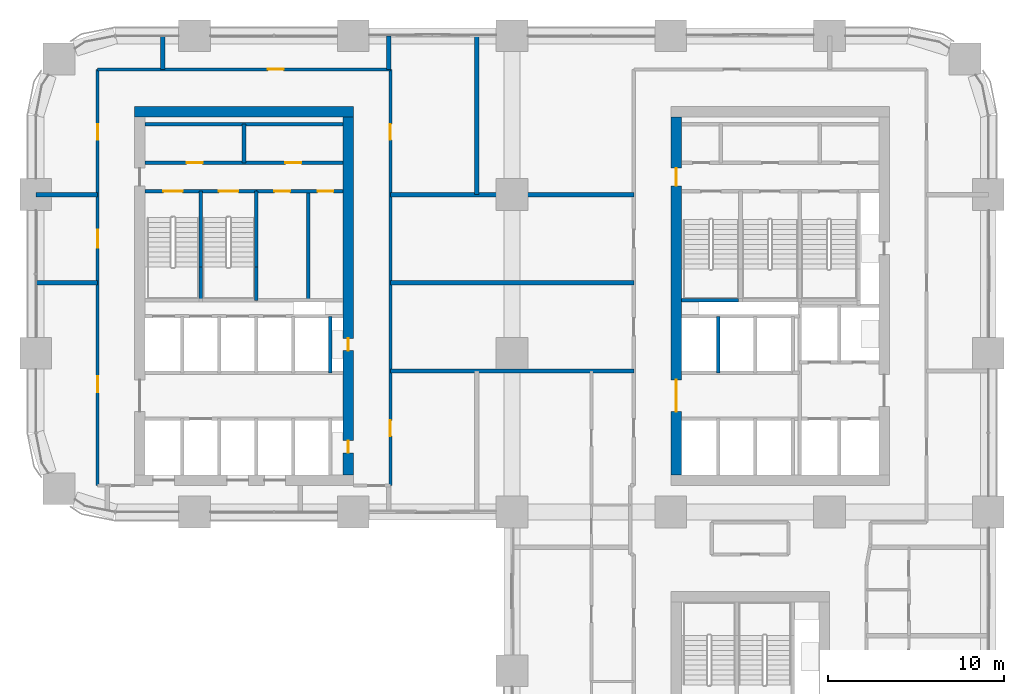
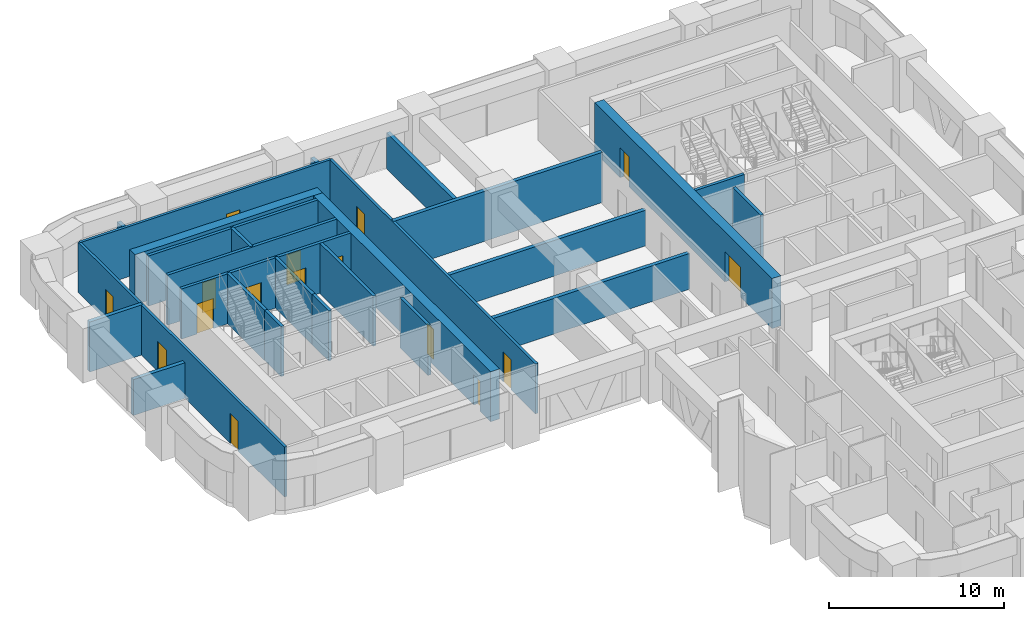
# One storey, part 15 of 19: 27 walls, 16 doors, 16 openings.
"""IFC4 building model written with IfcOpenShell, lengths in metres."""

from ifc_helpers import new_model, si_unit, direction, frame, frame_2d, origin, place, context, subcontext, project, spatial, rectangle, extrude, material, layer, layer_set, type_object, element, fill, save


model = new_model("IFC4")

# Units and contexts
model_context = context("Model", 3, precision=1e-05, world=origin(), true_north=direction((0.0, 1.0)))
body_context = subcontext(model_context, "Body", "Model", "MODEL_VIEW")
ifc_project = project(units=[si_unit("LENGTHUNIT", "METRE"), si_unit("AREAUNIT", "SQUARE_METRE"), si_unit("VOLUMEUNIT", "CUBIC_METRE"), si_unit("PLANEANGLEUNIT", "RADIAN"), si_unit("MASSUNIT", "GRAM", prefix="KILO")], contexts=[model_context])

# Site, building, storey
site_placement = place(None, origin())
site = spatial("IfcSite", under=ifc_project, at=site_placement, CompositionType="ELEMENT")
building_placement = place(site_placement, origin())
building = spatial("IfcBuilding", under=site, at=building_placement, Name="Tessera Arch", CompositionType="ELEMENT")
storey_placement = place(building_placement, frame((0.0, 0.0, 85.39990234375)))
storey = spatial("IfcBuildingStorey", under=building, at=storey_placement, Name="L19", CompositionType="ELEMENT", Elevation=85.39990234375)

# Walls
ifc_material_1 = material(Name="Gypsum board on steel stud", Category="steel")
ifc_layer_1 = layer(ifc_material_1, 0.125)
ifc_layer_set_1 = layer_set([ifc_layer_1], Name="Core partition 125 EI 60")
wall_type_1 = type_object("IfcWallType", Name="Core partition 125 EI 60", PredefinedType="PARTITIONING", material=ifc_layer_set_1)
wall_1_placement = place(storey_placement, frame((11.800048828125, 46.800048828125, 0.0), z_axis=(0.0, 0.0, 1.0), x_axis=(0.0, 1.0, 0.0)))
element("IfcWall", 1, at=wall_1_placement, inside=storey, type_object=wall_type_1, Name="L19 C2 partition wall 7", PredefinedType="PARTITIONING", context=body_context, shape_type="SweptSolid", body=[
    extrude(rectangle(XDim=2.199951171875, YDim=0.199951171875, at=frame_2d((1.10009765625, 0.0))), origin(), (0.0, 0.0, 1.0), 3.5),
])
wall_2_placement = place(storey_placement, frame((15.43994140625, 39.0, 0.0), z_axis=(0.0, 0.0, 1.0), x_axis=(0.0, 1.0, 0.0)))
element("IfcWall", 2, at=wall_2_placement, inside=storey, type_object=wall_type_1, Name="L19 C2 partition wall 14", PredefinedType="PARTITIONING", context=body_context, shape_type="SweptSolid", body=[
    extrude(rectangle(XDim=6.199951171875, YDim=0.199951171875, at=frame_2d((3.10009765625, 0.0))), origin(), (0.0, 0.0, 1.0), 3.5),
])

# Wall, openings, doors
wall_3_placement = place(storey_placement, frame((12.5, 45.199951171875, 0.0), z_axis=(0.0, 0.0, 1.0), x_axis=(1.0, 0.0, 0.0)))
wall_3 = element("IfcWall", 3, at=wall_3_placement, inside=storey, type_object=wall_type_1, Name="L19 C2 partition wall 24", PredefinedType="PARTITIONING", context=body_context, shape_type="SweptSolid", body=[
    extrude(rectangle(XDim=4.89990234375, YDim=0.199951171875, at=frame_2d((2.449951171875, 0.0))), origin(), (0.0, 0.0, 1.0), 3.5),
])
opening_1_placement = place(wall_3_placement, frame((1.02001953125, 0.0, 0.0)))
opening_1 = element("IfcOpeningElement", 4, at=opening_1_placement, cuts=wall_3, Name="Opening L19-C31", PredefinedType="OPENING", context=body_context, shape_type="SweptSolid", body=[
    extrude(rectangle(XDim=0.89990234375, YDim=2.10009765625, at=frame_2d((0.449951171875, 1.050048828125))), frame((0.0, 0.10986328125, 0.0), z_axis=(0.0, -1.0, 0.0), x_axis=(1.0, 0.0, 0.0)), (0.0, 0.0, 1.0), 0.219970703125),
])
opening_2_placement = place(wall_3_placement, frame((3.469970703125, 0.0, 0.0)))
opening_2 = element("IfcOpeningElement", 5, at=opening_2_placement, cuts=wall_3, Name="Opening L19-C32", PredefinedType="OPENING", context=body_context, shape_type="SweptSolid", body=[
    extrude(rectangle(XDim=0.89990234375, YDim=2.10009765625, at=frame_2d((0.449951171875, 1.050048828125))), frame((0.0, 0.10986328125, 0.0), z_axis=(0.0, -1.0, 0.0), x_axis=(1.0, 0.0, 0.0)), (0.0, 0.0, 1.0), 0.219970703125),
])
ifc_material_2 = material(Name="Steel door leaf", Category="steel")
door_type_1 = type_object("IfcDoorType", Name="Store door FD30S 900 x 2100", OperationType="SINGLE_SWING_LEFT", PredefinedType="DOOR", material=ifc_material_2)
door_1_placement = place(opening_1_placement, origin())
door_1 = element("IfcDoor", 6, at=door_1_placement, inside=storey, type_object=door_type_1, Name="L19 C2 door 17 C31 type D09", OperationType="SINGLE_SWING_LEFT", OverallHeight=2.10009765625, OverallWidth=0.89990234375, PredefinedType="DOOR", context=body_context, shape_type="SweptSolid", body=[
    extrude(rectangle(XDim=0.89990234375, YDim=2.10009765625, at=frame_2d((0.449951171875, 1.050048828125))), frame((0.0, 0.02490234375, 0.0), z_axis=(0.0, -1.0, 0.0), x_axis=(1.0, 0.0, 0.0)), (0.0, 0.0, 1.0), 0.050048828125),
])
fill(opening_1, door_1)
door_2_placement = place(opening_2_placement, origin())
door_2 = element("IfcDoor", 7, at=door_2_placement, inside=storey, type_object=door_type_1, Name="L19 C2 door 18 C32 type D09", OperationType="SINGLE_SWING_RIGHT", OverallHeight=2.10009765625, OverallWidth=0.89990234375, PredefinedType="DOOR", context=body_context, shape_type="SweptSolid", body=[
    extrude(rectangle(XDim=0.89990234375, YDim=2.10009765625, at=frame_2d((0.449951171875, 1.050048828125))), frame((0.0, 0.02490234375, 0.0), z_axis=(0.0, -1.0, 0.0), x_axis=(1.0, 0.0, 0.0)), (0.0, 0.0, 1.0), 0.050048828125),
])
fill(opening_2, door_2)

wall_4_placement = place(storey_placement, frame((6.199951171875, 46.800048828125, 0.0), z_axis=(0.0, 0.0, 1.0), x_axis=(1.0, 0.0, 0.0)))
wall_4 = element("IfcWall", 8, at=wall_4_placement, inside=storey, type_object=wall_type_1, Name="L19 C2 partition wall 26", PredefinedType="PARTITIONING", context=body_context, shape_type="SweptSolid", body=[
    extrude(rectangle(XDim=11.199951171875, YDim=0.199951171875, at=frame_2d((5.60009765625, 0.0))), origin(), (0.0, 0.0, 1.0), 3.5),
])
opening_3_placement = place(wall_4_placement, frame((2.35009765625, 0.0, 0.0)))
opening_3 = element("IfcOpeningElement", 9, at=opening_3_placement, cuts=wall_4, Name="Opening L19-C29", PredefinedType="OPENING", context=body_context, shape_type="SweptSolid", body=[
    extrude(rectangle(XDim=0.89990234375, YDim=2.10009765625, at=frame_2d((0.449951171875, 1.050048828125))), frame((0.0, 0.10986328125, 0.0), z_axis=(0.0, -1.0, 0.0), x_axis=(1.0, 0.0, 0.0)), (0.0, 0.0, 1.0), 0.219970703125),
])
opening_4_placement = place(wall_4_placement, frame((7.949951171875, 0.0, 0.0)))
opening_4 = element("IfcOpeningElement", 10, at=opening_4_placement, cuts=wall_4, Name="Opening L19-C30", PredefinedType="OPENING", context=body_context, shape_type="SweptSolid", body=[
    extrude(rectangle(XDim=0.89990234375, YDim=2.10009765625, at=frame_2d((0.449951171875, 1.050048828125))), frame((0.0, 0.10986328125, 0.0), z_axis=(0.0, -1.0, 0.0), x_axis=(1.0, 0.0, 0.0)), (0.0, 0.0, 1.0), 0.219970703125),
])
door_3_placement = place(opening_3_placement, origin())
door_3 = element("IfcDoor", 11, at=door_3_placement, inside=storey, type_object=door_type_1, Name="L19 C2 door 15 C29 type D09", OperationType="SINGLE_SWING_LEFT", OverallHeight=2.10009765625, OverallWidth=0.89990234375, PredefinedType="DOOR", context=body_context, shape_type="SweptSolid", body=[
    extrude(rectangle(XDim=0.89990234375, YDim=2.10009765625, at=frame_2d((0.449951171875, 1.050048828125))), frame((0.0, 0.02490234375, 0.0), z_axis=(0.0, -1.0, 0.0), x_axis=(1.0, 0.0, 0.0)), (0.0, 0.0, 1.0), 0.050048828125),
])
fill(opening_3, door_3)
door_4_placement = place(opening_4_placement, origin())
door_4 = element("IfcDoor", 12, at=door_4_placement, inside=storey, type_object=door_type_1, Name="L19 C2 door 16 C30 type D09", OperationType="SINGLE_SWING_RIGHT", OverallHeight=2.10009765625, OverallWidth=0.89990234375, PredefinedType="DOOR", context=body_context, shape_type="SweptSolid", body=[
    extrude(rectangle(XDim=0.89990234375, YDim=2.10009765625, at=frame_2d((0.449951171875, 1.050048828125))), frame((0.0, 0.02490234375, 0.0), z_axis=(0.0, -1.0, 0.0), x_axis=(1.0, 0.0, 0.0)), (0.0, 0.0, 1.0), 0.050048828125),
])
fill(opening_4, door_4)

# Wall
wall_5_placement = place(storey_placement, frame((6.199951171875, 49.0, 0.0), z_axis=(0.0, 0.0, 1.0), x_axis=(1.0, 0.0, 0.0)))
element("IfcWall", 13, at=wall_5_placement, inside=storey, type_object=wall_type_1, Name="L19 C2 partition wall 27", PredefinedType="PARTITIONING", context=body_context, shape_type="SweptSolid", body=[
    extrude(rectangle(XDim=11.199951171875, YDim=0.199951171875, at=frame_2d((5.60009765625, 0.0))), origin(), (0.0, 0.0, 1.0), 3.5),
])

# Wall, openings, doors
ifc_material_3 = material(Name="Concrete C70/85", Category="concrete")
ifc_layer_2 = layer(ifc_material_3, 0.60009765625)
ifc_layer_set_2 = layer_set([ifc_layer_2], Name="Core shell wall 600 C70-85")
wall_type_2 = type_object("IfcWallType", Name="Core shell wall 600 C70-85", PredefinedType="SHEAR", material=ifc_layer_set_2)
wall_6_placement = place(storey_placement, frame((36.300048828125, 29.10009765625, 0.0), z_axis=(0.0, 0.0, 1.0), x_axis=(0.0, 1.0, 0.0)))
wall_6 = element("IfcWall", 14, at=wall_6_placement, inside=storey, type_object=wall_type_2, Name="L19 C1 core wall W", PredefinedType="SHEAR", context=body_context, shape_type="SweptSolid", body=[
    extrude(rectangle(XDim=20.2998046875, YDim=0.60009765625, at=frame_2d((10.14990234375, 0.0))), origin(), (0.0, 0.0, 1.0), 3.5),
])
opening_5_placement = place(wall_6_placement, frame((3.60009765625, 0.0, 0.0)))
opening_5 = element("IfcOpeningElement", 15, at=opening_5_placement, cuts=wall_6, Name="Opening L19-C04", PredefinedType="OPENING", context=body_context, shape_type="SweptSolid", body=[
    extrude(rectangle(XDim=1.800048828125, YDim=2.10009765625, at=frame_2d((0.89990234375, 1.050048828125))), frame((0.0, 0.31005859375, 0.0), z_axis=(0.0, -1.0, 0.0), x_axis=(1.0, 0.0, 0.0)), (0.0, 0.0, 1.0), 0.6201171875),
])
opening_6_placement = place(wall_6_placement, frame((16.39990234375, 0.0, 0.0)))
opening_6 = element("IfcOpeningElement", 16, at=opening_6_placement, cuts=wall_6, Name="Opening L19-C11", PredefinedType="OPENING", context=body_context, shape_type="SweptSolid", body=[
    extrude(rectangle(XDim=1.0, YDim=2.10009765625, at=frame_2d((0.5, 1.050048828125))), frame((0.0, 0.31005859375, 0.0), z_axis=(0.0, -1.0, 0.0), x_axis=(1.0, 0.0, 0.0)), (0.0, 0.0, 1.0), 0.6201171875),
])
ifc_material_4 = material(Name="Steel door leaf", Category="steel")
door_type_2 = type_object("IfcDoorType", Name="Corridor door FD60 1000 x 2100", OperationType="SINGLE_SWING_LEFT", PredefinedType="DOOR", material=ifc_material_4)
door_5_placement = place(opening_6_placement, origin())
door_5 = element("IfcDoor", 17, at=door_5_placement, inside=storey, type_object=door_type_2, Name="L19 C1 door 11 C11 type D12", OperationType="SINGLE_SWING_RIGHT", OverallHeight=2.10009765625, OverallWidth=1.0, PredefinedType="DOOR", context=body_context, shape_type="SweptSolid", body=[
    extrude(rectangle(XDim=1.0, YDim=2.10009765625, at=frame_2d((0.5, 1.050048828125))), frame((0.0, 0.02490234375, 0.0), z_axis=(0.0, -1.0, 0.0), x_axis=(1.0, 0.0, 0.0)), (0.0, 0.0, 1.0), 0.050048828125),
])
fill(opening_6, door_5)
ifc_material_5 = material(Name="Glazed steel door leaf", Category="steel")
door_type_3 = type_object("IfcDoorType", Name="Lobby double door FD30S 1800 x 2100", OperationType="DOUBLE_DOOR_SINGLE_SWING", PredefinedType="DOOR", material=ifc_material_5)
door_6_placement = place(opening_5_placement, origin())
door_6 = element("IfcDoor", 18, at=door_6_placement, inside=storey, type_object=door_type_3, Name="L19 C1 door 4 C04 type D06", OperationType="DOUBLE_DOOR_SINGLE_SWING", OverallHeight=2.10009765625, OverallWidth=1.800048828125, PredefinedType="DOOR", context=body_context, shape_type="SweptSolid", body=[
    extrude(rectangle(XDim=1.800048828125, YDim=2.10009765625, at=frame_2d((0.89990234375, 1.050048828125))), frame((0.0, 0.02490234375, 0.0), z_axis=(0.0, -1.0, 0.0), x_axis=(1.0, 0.0, 0.0)), (0.0, 0.0, 1.0), 0.050048828125),
])
fill(opening_5, door_6)

# Wall
wall_7_placement = place(storey_placement, frame((5.60009765625, 49.699951171875, 0.0), z_axis=(0.0, 0.0, 1.0), x_axis=(1.0, 0.0, 0.0)))
element("IfcWall", 19, at=wall_7_placement, inside=storey, type_object=wall_type_2, Name="L19 C2 core wall N", PredefinedType="SHEAR", context=body_context, shape_type="SweptSolid", body=[
    extrude(rectangle(XDim=12.39990234375, YDim=0.60009765625, at=frame_2d((6.199951171875, 0.0))), origin(), (0.0, 0.0, 1.0), 3.5),
])

# Wall, openings, doors
wall_8_placement = place(storey_placement, frame((17.699951171875, 29.10009765625, 0.0), z_axis=(0.0, 0.0, 1.0), x_axis=(0.0, 1.0, 0.0)))
wall_8 = element("IfcWall", 20, at=wall_8_placement, inside=storey, type_object=wall_type_2, Name="L19 C2 core wall E", PredefinedType="SHEAR", context=body_context, shape_type="SweptSolid", body=[
    extrude(rectangle(XDim=20.2998046875, YDim=0.60009765625, at=frame_2d((10.14990234375, 0.0))), origin(), (0.0, 0.0, 1.0), 3.5),
])
opening_7_placement = place(wall_8_placement, frame((1.25, 0.0, 0.0)))
opening_7 = element("IfcOpeningElement", 21, at=opening_7_placement, cuts=wall_8, Name="Opening L19-C23", PredefinedType="OPENING", context=body_context, shape_type="SweptSolid", body=[
    extrude(rectangle(XDim=0.699951171875, YDim=2.10009765625, at=frame_2d((0.35009765625, 1.050048828125))), frame((0.0, 0.31005859375, 0.0), z_axis=(0.0, -1.0, 0.0), x_axis=(1.0, 0.0, 0.0)), (0.0, 0.0, 1.0), 0.6201171875),
])
opening_8_placement = place(wall_8_placement, frame((7.050048828125, 0.0, 0.0)))
opening_8 = element("IfcOpeningElement", 22, at=opening_8_placement, cuts=wall_8, Name="Opening L19-C24", PredefinedType="OPENING", context=body_context, shape_type="SweptSolid", body=[
    extrude(rectangle(XDim=0.699951171875, YDim=2.10009765625, at=frame_2d((0.35009765625, 1.050048828125))), frame((0.0, 0.31005859375, 0.0), z_axis=(0.0, -1.0, 0.0), x_axis=(1.0, 0.0, 0.0)), (0.0, 0.0, 1.0), 0.6201171875),
])
ifc_material_6 = material(Name="Steel door leaf", Category="steel")
door_type_4 = type_object("IfcDoorType", Name="Service shaft door FD60 700 x 2100", OperationType="SINGLE_SWING_LEFT", PredefinedType="DOOR", material=ifc_material_6)
door_7_placement = place(opening_7_placement, origin())
door_7 = element("IfcDoor", 23, at=door_7_placement, inside=storey, type_object=door_type_4, Name="L19 C2 door 9 C23 type D07", OperationType="SINGLE_SWING_LEFT", OverallHeight=2.10009765625, OverallWidth=0.699951171875, PredefinedType="DOOR", context=body_context, shape_type="SweptSolid", body=[
    extrude(rectangle(XDim=0.699951171875, YDim=2.10009765625, at=frame_2d((0.35009765625, 1.050048828125))), frame((0.0, 0.02490234375, 0.0), z_axis=(0.0, -1.0, 0.0), x_axis=(1.0, 0.0, 0.0)), (0.0, 0.0, 1.0), 0.050048828125),
])
fill(opening_7, door_7)
door_8_placement = place(opening_8_placement, origin())
door_8 = element("IfcDoor", 24, at=door_8_placement, inside=storey, type_object=door_type_4, Name="L19 C2 door 10 C24 type D07", OperationType="SINGLE_SWING_LEFT", OverallHeight=2.10009765625, OverallWidth=0.699951171875, PredefinedType="DOOR", context=body_context, shape_type="SweptSolid", body=[
    extrude(rectangle(XDim=0.699951171875, YDim=2.10009765625, at=frame_2d((0.35009765625, 1.050048828125))), frame((0.0, 0.02490234375, 0.0), z_axis=(0.0, -1.0, 0.0), x_axis=(1.0, 0.0, 0.0)), (0.0, 0.0, 1.0), 0.050048828125),
])
fill(opening_8, door_8)

# Wall, opening, door
ifc_material_7 = material(Name="Gypsum board on deep steel stud with mineral wool", Category="steel")
ifc_layer_3 = layer(ifc_material_7, 0.175048828125)
ifc_layer_set_3 = layer_set([ifc_layer_3], Name="Corridor wall 175 EI 60")
wall_type_3 = type_object("IfcWallType", Name="Corridor wall 175 EI 60", PredefinedType="PARTITIONING", material=ifc_layer_set_3)
wall_9_placement = place(storey_placement, frame((3.5, 52.10009765625, 0.0), z_axis=(0.0, 0.0, 1.0), x_axis=(1.0, 0.0, 0.0)))
wall_9 = element("IfcWall", 25, at=wall_9_placement, inside=storey, type_object=wall_type_3, Name="L19 partition 9", PredefinedType="PARTITIONING", context=body_context, shape_type="SweptSolid", body=[
    extrude(rectangle(XDim=16.60009765625, YDim=0.175048828125, at=frame_2d((8.300048828125, 0.0))), origin(), (0.0, 0.0, 1.0), 3.5),
])
opening_9_placement = place(wall_9_placement, frame((9.651123046875, 0.0, 0.0)))
opening_9 = element("IfcOpeningElement", 26, at=opening_9_placement, cuts=wall_9, Name="Opening L19-D037", PredefinedType="OPENING", context=body_context, shape_type="SweptSolid", body=[
    extrude(rectangle(XDim=0.89990234375, YDim=2.10009765625, at=frame_2d((0.449951171875, 1.050048828125))), frame((0.0, 0.097412109375, 0.0), z_axis=(0.0, -1.0, 0.0), x_axis=(1.0, 0.0, 0.0)), (0.0, 0.0, 1.0), 0.195068359375),
])
ifc_material_8 = material(Name="Timber door leaf", Category="wood")
door_type_5 = type_object("IfcDoorType", Name="Room door 900 x 2100", OperationType="SINGLE_SWING_LEFT", PredefinedType="DOOR", material=ifc_material_8)
door_9_placement = place(opening_9_placement, origin())
door_9 = element("IfcDoor", 27, at=door_9_placement, inside=storey, type_object=door_type_5, Name="L19 door D037 type D01", OperationType="SINGLE_SWING_LEFT", OverallHeight=2.10009765625, OverallWidth=0.89990234375, PredefinedType="DOOR", context=body_context, shape_type="SweptSolid", body=[
    extrude(rectangle(XDim=0.89990234375, YDim=2.10009765625, at=frame_2d((0.449951171875, 1.050048828125))), frame((0.0, 0.02490234375, 0.0), z_axis=(0.0, -1.0, 0.0), x_axis=(1.0, 0.0, 0.0)), (0.0, 0.0, 1.0), 0.050048828125),
])
fill(opening_9, door_9)

# Wall, openings, doors
wall_10_placement = place(storey_placement, frame((3.5, 28.5, 0.0), z_axis=(0.0, 0.0, 1.0), x_axis=(0.0, 1.0, 0.0)))
wall_10 = element("IfcWall", 28, at=wall_10_placement, inside=storey, type_object=wall_type_3, Name="L19 partition 11", PredefinedType="PARTITIONING", context=body_context, shape_type="SweptSolid", body=[
    extrude(rectangle(XDim=23.60009765625, YDim=0.175048828125, at=frame_2d((11.800048828125, 0.0))), origin(), (0.0, 0.0, 1.0), 3.5),
])
opening_10_placement = place(wall_10_placement, frame((5.300048828125, 0.0, 0.0)))
opening_10 = element("IfcOpeningElement", 29, at=opening_10_placement, cuts=wall_10, Name="Opening L19-D028", PredefinedType="OPENING", context=body_context, shape_type="SweptSolid", body=[
    extrude(rectangle(XDim=0.89990234375, YDim=2.10009765625, at=frame_2d((0.449951171875, 1.050048828125))), frame((0.0, 0.097412109375, 0.0), z_axis=(0.0, -1.0, 0.0), x_axis=(1.0, 0.0, 0.0)), (0.0, 0.0, 1.0), 0.195068359375),
])
opening_11_placement = place(wall_10_placement, frame((13.5, 0.0, 0.0)))
opening_11 = element("IfcOpeningElement", 30, at=opening_11_placement, cuts=wall_10, Name="Opening L19-D031", PredefinedType="OPENING", context=body_context, shape_type="SweptSolid", body=[
    extrude(rectangle(XDim=1.0, YDim=2.10009765625, at=frame_2d((0.5, 1.050048828125))), frame((0.0, 0.097412109375, 0.0), z_axis=(0.0, -1.0, 0.0), x_axis=(1.0, 0.0, 0.0)), (0.0, 0.0, 1.0), 0.195068359375),
])
opening_12_placement = place(wall_10_placement, frame((19.60009765625, 0.0, 0.0)))
opening_12 = element("IfcOpeningElement", 31, at=opening_12_placement, cuts=wall_10, Name="Opening L19-D034", PredefinedType="OPENING", context=body_context, shape_type="SweptSolid", body=[
    extrude(rectangle(XDim=0.89990234375, YDim=2.10009765625, at=frame_2d((0.449951171875, 1.050048828125))), frame((0.0, 0.097412109375, 0.0), z_axis=(0.0, -1.0, 0.0), x_axis=(1.0, 0.0, 0.0)), (0.0, 0.0, 1.0), 0.195068359375),
])
ifc_material_9 = material(Name="Fire-rated door leaf")
door_type_6 = type_object("IfcDoorType", Name="Entrance door FD30S 1000 x 2100", OperationType="SINGLE_SWING_LEFT", PredefinedType="DOOR", material=ifc_material_9)
door_10_placement = place(opening_11_placement, origin())
door_10 = element("IfcDoor", 32, at=door_10_placement, inside=storey, type_object=door_type_6, Name="L19 door D031 type D03", OperationType="SINGLE_SWING_LEFT", OverallHeight=2.10009765625, OverallWidth=1.0, PredefinedType="DOOR", context=body_context, shape_type="SweptSolid", body=[
    extrude(rectangle(XDim=1.0, YDim=2.10009765625, at=frame_2d((0.5, 1.050048828125))), frame((0.0, 0.02490234375, 0.0), z_axis=(0.0, -1.0, 0.0), x_axis=(1.0, 0.0, 0.0)), (0.0, 0.0, 1.0), 0.050048828125),
])
fill(opening_11, door_10)
door_11_placement = place(opening_10_placement, origin())
door_11 = element("IfcDoor", 33, at=door_11_placement, inside=storey, type_object=door_type_5, Name="L19 door D028 type D01", OperationType="SINGLE_SWING_RIGHT", OverallHeight=2.10009765625, OverallWidth=0.89990234375, PredefinedType="DOOR", context=body_context, shape_type="SweptSolid", body=[
    extrude(rectangle(XDim=0.89990234375, YDim=2.10009765625, at=frame_2d((0.449951171875, 1.050048828125))), frame((0.0, 0.02490234375, 0.0), z_axis=(0.0, -1.0, 0.0), x_axis=(1.0, 0.0, 0.0)), (0.0, 0.0, 1.0), 0.050048828125),
])
fill(opening_10, door_11)
door_12_placement = place(opening_12_placement, origin())
door_12 = element("IfcDoor", 34, at=door_12_placement, inside=storey, type_object=door_type_5, Name="L19 door D034 type D01", OperationType="SINGLE_SWING_RIGHT", OverallHeight=2.10009765625, OverallWidth=0.89990234375, PredefinedType="DOOR", context=body_context, shape_type="SweptSolid", body=[
    extrude(rectangle(XDim=0.89990234375, YDim=2.10009765625, at=frame_2d((0.449951171875, 1.050048828125))), frame((0.0, 0.02490234375, 0.0), z_axis=(0.0, -1.0, 0.0), x_axis=(1.0, 0.0, 0.0)), (0.0, 0.0, 1.0), 0.050048828125),
])
fill(opening_12, door_12)

wall_11_placement = place(storey_placement, frame((20.10009765625, 28.5, 0.0), z_axis=(0.0, 0.0, 1.0), x_axis=(0.0, 1.0, 0.0)))
wall_11 = element("IfcWall", 35, at=wall_11_placement, inside=storey, type_object=wall_type_3, Name="L19 partition 12", PredefinedType="PARTITIONING", context=body_context, shape_type="SweptSolid", body=[
    extrude(rectangle(XDim=23.60009765625, YDim=0.175048828125, at=frame_2d((11.800048828125, 0.0))), origin(), (0.0, 0.0, 1.0), 3.5),
])
opening_13_placement = place(wall_11_placement, frame((2.800048828125, 0.0, 0.0)))
opening_13 = element("IfcOpeningElement", 36, at=opening_13_placement, cuts=wall_11, Name="Opening L19-D027", PredefinedType="OPENING", context=body_context, shape_type="SweptSolid", body=[
    extrude(rectangle(XDim=0.89990234375, YDim=2.10009765625, at=frame_2d((0.449951171875, 1.050048828125))), frame((0.0, 0.097412109375, 0.0), z_axis=(0.0, -1.0, 0.0), x_axis=(1.0, 0.0, 0.0)), (0.0, 0.0, 1.0), 0.195068359375),
])
opening_14_placement = place(wall_11_placement, frame((19.60009765625, 0.0, 0.0)))
opening_14 = element("IfcOpeningElement", 37, at=opening_14_placement, cuts=wall_11, Name="Opening L19-D033", PredefinedType="OPENING", context=body_context, shape_type="SweptSolid", body=[
    extrude(rectangle(XDim=0.89990234375, YDim=2.10009765625, at=frame_2d((0.449951171875, 1.050048828125))), frame((0.0, 0.097412109375, 0.0), z_axis=(0.0, -1.0, 0.0), x_axis=(1.0, 0.0, 0.0)), (0.0, 0.0, 1.0), 0.195068359375),
])
door_13_placement = place(opening_13_placement, origin())
door_13 = element("IfcDoor", 38, at=door_13_placement, inside=storey, type_object=door_type_5, Name="L19 door D027 type D01", OperationType="SINGLE_SWING_RIGHT", OverallHeight=2.10009765625, OverallWidth=0.89990234375, PredefinedType="DOOR", context=body_context, shape_type="SweptSolid", body=[
    extrude(rectangle(XDim=0.89990234375, YDim=2.10009765625, at=frame_2d((0.449951171875, 1.050048828125))), frame((0.0, 0.02490234375, 0.0), z_axis=(0.0, -1.0, 0.0), x_axis=(1.0, 0.0, 0.0)), (0.0, 0.0, 1.0), 0.050048828125),
])
fill(opening_13, door_13)
door_14_placement = place(opening_14_placement, origin())
door_14 = element("IfcDoor", 39, at=door_14_placement, inside=storey, type_object=door_type_5, Name="L19 door D033 type D01", OperationType="SINGLE_SWING_RIGHT", OverallHeight=2.10009765625, OverallWidth=0.89990234375, PredefinedType="DOOR", context=body_context, shape_type="SweptSolid", body=[
    extrude(rectangle(XDim=0.89990234375, YDim=2.10009765625, at=frame_2d((0.449951171875, 1.050048828125))), frame((0.0, 0.02490234375, 0.0), z_axis=(0.0, -1.0, 0.0), x_axis=(1.0, 0.0, 0.0)), (0.0, 0.0, 1.0), 0.050048828125),
])
fill(opening_14, door_14)

# Walls
ifc_material_10 = material(Name="Double gypsum board on twin steel stud with acoustic mineral wool", Category="steel")
ifc_layer_4 = layer(ifc_material_10, 0.25)
ifc_layer_set_4 = layer_set([ifc_layer_4], Name="Party wall 250 EI 60")
wall_type_4 = type_object("IfcWallType", Name="Party wall 250 EI 60", PredefinedType="PARTITIONING", material=ifc_layer_set_4)
wall_12_placement = place(storey_placement, frame((20.10009765625, 35.0, 0.0), z_axis=(0.0, 0.0, 1.0), x_axis=(1.0, 0.0, 0.0)))
element("IfcWall", 40, at=wall_12_placement, inside=storey, type_object=wall_type_4, Name="L19 partition 34", PredefinedType="PARTITIONING", context=body_context, shape_type="SweptSolid", body=[
    extrude(rectangle(XDim=13.7998046875, YDim=0.25, at=frame_2d((6.89990234375, 0.0))), origin(), (0.0, 0.0, 1.0), 2.5),
])
wall_13_placement = place(storey_placement, frame((0.0, 40.0, 0.0), z_axis=(0.0, 0.0, 1.0), x_axis=(1.0, 0.0, 0.0)))
element("IfcWall", 41, at=wall_13_placement, inside=storey, type_object=wall_type_4, Name="L19 partition 36", PredefinedType="PARTITIONING", context=body_context, shape_type="SweptSolid", body=[
    extrude(rectangle(XDim=3.5, YDim=0.25, at=frame_2d((1.75, 0.0))), origin(), (0.0, 0.0, 1.0), 2.5),
])
wall_14_placement = place(storey_placement, frame((20.10009765625, 40.0, 0.0), z_axis=(0.0, 0.0, 1.0), x_axis=(1.0, 0.0, 0.0)))
element("IfcWall", 42, at=wall_14_placement, inside=storey, type_object=wall_type_4, Name="L19 partition 37", PredefinedType="PARTITIONING", context=body_context, shape_type="SweptSolid", body=[
    extrude(rectangle(XDim=13.7998046875, YDim=0.25, at=frame_2d((6.89990234375, 0.0))), origin(), (0.0, 0.0, 1.0), 2.5),
])
wall_15_placement = place(storey_placement, frame((0.0, 45.0, 0.0), z_axis=(0.0, 0.0, 1.0), x_axis=(1.0, 0.0, 0.0)))
element("IfcWall", 43, at=wall_15_placement, inside=storey, type_object=wall_type_4, Name="L19 partition 38", PredefinedType="PARTITIONING", context=body_context, shape_type="SweptSolid", body=[
    extrude(rectangle(XDim=3.5, YDim=0.25, at=frame_2d((1.75, 0.0))), origin(), (0.0, 0.0, 1.0), 3.5),
])
wall_16_placement = place(storey_placement, frame((20.10009765625, 45.0, 0.0), z_axis=(0.0, 0.0, 1.0), x_axis=(1.0, 0.0, 0.0)))
element("IfcWall", 44, at=wall_16_placement, inside=storey, type_object=wall_type_4, Name="L19 partition 39", PredefinedType="PARTITIONING", context=body_context, shape_type="SweptSolid", body=[
    extrude(rectangle(XDim=13.7998046875, YDim=0.25, at=frame_2d((6.89990234375, 0.0))), origin(), (0.0, 0.0, 1.0), 3.5),
])
for number, where, z_axis, x_axis, name in (
    (45, (7.201904296875, 52.10009765625, 0.0), (0.0, 0.0, 1.0), (0.0, 1.0, 0.0), "L19 partition 42"),
    (46, (20.0, 52.10009765625, 0.0), (0.0, 0.0, 1.0), (0.0, 1.0, 0.0), "L19 partition 45"),
):
    element("IfcWall", number, at=place(storey_placement, frame(where, z_axis=z_axis, x_axis=x_axis)), inside=storey, type_object=wall_type_4, Name=name, PredefinedType="PARTITIONING", context=body_context, shape_type="SweptSolid", body=[
        extrude(rectangle(XDim=1.89990234375, YDim=0.25, at=frame_2d((0.949951171875, 0.0))), origin(), (0.0, 0.0, 1.0), 2.5),
    ])
wall_17_placement = place(storey_placement, frame((25.0, 45.0, 0.0), z_axis=(0.0, 0.0, 1.0), x_axis=(0.0, 1.0, 0.0)))
element("IfcWall", 47, at=wall_17_placement, inside=storey, type_object=wall_type_4, Name="L19 partition 47", PredefinedType="PARTITIONING", context=body_context, shape_type="SweptSolid", body=[
    extrude(rectangle(XDim=9.0, YDim=0.25, at=frame_2d((4.5, 0.0))), origin(), (0.0, 0.0, 1.0), 2.5),
])
ifc_material_11 = material(Name="Concrete C40/50", Category="concrete")
ifc_layer_5 = layer(ifc_material_11, 0.199951171875)
ifc_layer_set_5 = layer_set([ifc_layer_5], Name="Shaft wall 200 EI 120")
wall_type_5 = type_object("IfcWallType", Name="Shaft wall 200 EI 120", PredefinedType="SOLIDWALL", material=ifc_layer_set_5)
for number, where, z_axis, x_axis, name in (
    (48, (38.699951171875, 34.89990234375, 0.0), (0.0, 0.0, 1.0), (0.0, 1.0, 0.0), "L19 C1 shaft wall 2"),
    (49, (16.699951171875, 34.89990234375, 0.0), (0.0, 0.0, 1.0), (0.0, 1.0, 0.0), "L19 C2 shaft wall 16"),
):
    element("IfcWall", number, at=place(storey_placement, frame(where, z_axis=z_axis, x_axis=x_axis)), inside=storey, type_object=wall_type_5, Name=name, PredefinedType="SOLIDWALL", context=body_context, shape_type="SweptSolid", body=[
        extrude(rectangle(XDim=3.2001953125, YDim=0.199951171875, at=frame_2d((1.60009765625, 0.0))), origin(), (0.0, 0.0, 1.0), 3.5),
    ])
ifc_material_12 = material(Name="Concrete C40/50", Category="concrete")
ifc_layer_6 = layer(ifc_material_12, 0.199951171875)
ifc_layer_set_6 = layer_set([ifc_layer_6], Name="Stair well wall 200 REI 180")
wall_type_6 = type_object("IfcWallType", Name="Stair well wall 200 REI 180", PredefinedType="SOLIDWALL", material=ifc_layer_set_6)
wall_18_placement = place(storey_placement, frame((36.60009765625, 39.0, 0.0), z_axis=(0.0, 0.0, 1.0), x_axis=(1.0, 0.0, 0.0)))
element("IfcWall", 50, at=wall_18_placement, inside=storey, type_object=wall_type_6, Name="L19 C1 shaft wall 25", PredefinedType="SOLIDWALL", context=body_context, shape_type="SweptSolid", body=[
    extrude(rectangle(XDim=3.25, YDim=0.199951171875, at=frame_2d((1.625, 0.0))), origin(), (0.0, 0.0, 1.0), 3.5),
])
wall_19_placement = place(storey_placement, frame((9.35009765625, 39.0, 0.0), z_axis=(0.0, 0.0, 1.0), x_axis=(0.0, 1.0, 0.0)))
element("IfcWall", 51, at=wall_19_placement, inside=storey, type_object=wall_type_6, Name="L19 C2 shaft wall 3", PredefinedType="SOLIDWALL", context=body_context, shape_type="SweptSolid", body=[
    extrude(rectangle(XDim=1.89990234375, YDim=0.199951171875, at=frame_2d((0.949951171875, 0.0))), origin(), (0.0, 0.0, 1.0), 3.5),
])
wall_20_placement = place(storey_placement, frame((9.35009765625, 40.89990234375, 0.0), z_axis=(0.0, 0.0, 1.0), x_axis=(0.0, 1.0, 0.0)))
element("IfcWall", 52, at=wall_20_placement, inside=storey, type_object=wall_type_6, Name="L19 C2 shaft wall 4", PredefinedType="SOLIDWALL", context=body_context, shape_type="SweptSolid", body=[
    extrude(rectangle(XDim=4.300048828125, YDim=0.199951171875, at=frame_2d((2.14990234375, 0.0))), origin(), (0.0, 0.0, 1.0), 3.5),
])
wall_21_placement = place(storey_placement, frame((12.5, 39.0, 0.0), z_axis=(0.0, 0.0, 1.0), x_axis=(0.0, 1.0, 0.0)))
element("IfcWall", 53, at=wall_21_placement, inside=storey, type_object=wall_type_6, Name="L19 C2 shaft wall 10", PredefinedType="SOLIDWALL", context=body_context, shape_type="SweptSolid", body=[
    extrude(rectangle(XDim=1.89990234375, YDim=0.199951171875, at=frame_2d((0.949951171875, 0.0))), origin(), (0.0, 0.0, 1.0), 3.5),
])
wall_22_placement = place(storey_placement, frame((12.5, 40.89990234375, 0.0), z_axis=(0.0, 0.0, 1.0), x_axis=(0.0, 1.0, 0.0)))
element("IfcWall", 54, at=wall_22_placement, inside=storey, type_object=wall_type_6, Name="L19 C2 shaft wall 11", PredefinedType="SOLIDWALL", context=body_context, shape_type="SweptSolid", body=[
    extrude(rectangle(XDim=4.300048828125, YDim=0.199951171875, at=frame_2d((2.14990234375, 0.0))), origin(), (0.0, 0.0, 1.0), 3.5),
])

# Wall, openings, doors
wall_23_placement = place(storey_placement, frame((6.199951171875, 45.199951171875, 0.0), z_axis=(0.0, 0.0, 1.0), x_axis=(1.0, 0.0, 0.0)))
wall_23 = element("IfcWall", 55, at=wall_23_placement, inside=storey, type_object=wall_type_6, Name="L19 C2 shaft wall 25", PredefinedType="SOLIDWALL", context=body_context, shape_type="SweptSolid", body=[
    extrude(rectangle(XDim=6.300048828125, YDim=0.199951171875, at=frame_2d((3.14990234375, 0.0))), origin(), (0.0, 0.0, 1.0), 3.5),
])
opening_15_placement = place(wall_23_placement, frame((1.02490234375, 0.0, 0.0)))
opening_15 = element("IfcOpeningElement", 56, at=opening_15_placement, cuts=wall_23, Name="Opening L19-C26", PredefinedType="OPENING", context=body_context, shape_type="SweptSolid", body=[
    extrude(rectangle(XDim=1.10009765625, YDim=2.10009765625, at=frame_2d((0.550048828125, 1.050048828125))), frame((0.0, 0.10986328125, 0.0), z_axis=(0.0, -1.0, 0.0), x_axis=(1.0, 0.0, 0.0)), (0.0, 0.0, 1.0), 0.219970703125),
])
opening_16_placement = place(wall_23_placement, frame((4.175048828125, 0.0, 0.0)))
opening_16 = element("IfcOpeningElement", 57, at=opening_16_placement, cuts=wall_23, Name="Opening L19-C27", PredefinedType="OPENING", context=body_context, shape_type="SweptSolid", body=[
    extrude(rectangle(XDim=1.10009765625, YDim=2.10009765625, at=frame_2d((0.550048828125, 1.050048828125))), frame((0.0, 0.10986328125, 0.0), z_axis=(0.0, -1.0, 0.0), x_axis=(1.0, 0.0, 0.0)), (0.0, 0.0, 1.0), 0.219970703125),
])
ifc_material_13 = material(Name="Steel door leaf", Category="steel")
door_type_7 = type_object("IfcDoorType", Name="Stair door FD60 1100 x 2100", OperationType="SINGLE_SWING_LEFT", PredefinedType="DOOR", material=ifc_material_13)
door_15_placement = place(opening_15_placement, origin())
door_15 = element("IfcDoor", 58, at=door_15_placement, inside=storey, type_object=door_type_7, Name="L19 C2 door 12 C26 type D05", OperationType="SINGLE_SWING_LEFT", OverallHeight=2.10009765625, OverallWidth=1.10009765625, PredefinedType="DOOR", context=body_context, shape_type="SweptSolid", body=[
    extrude(rectangle(XDim=1.10009765625, YDim=2.10009765625, at=frame_2d((0.550048828125, 1.050048828125))), frame((0.0, 0.02490234375, 0.0), z_axis=(0.0, -1.0, 0.0), x_axis=(1.0, 0.0, 0.0)), (0.0, 0.0, 1.0), 0.050048828125),
])
fill(opening_15, door_15)
door_16_placement = place(opening_16_placement, origin())
door_16 = element("IfcDoor", 59, at=door_16_placement, inside=storey, type_object=door_type_7, Name="L19 C2 door 13 C27 type D05", OperationType="SINGLE_SWING_RIGHT", OverallHeight=2.10009765625, OverallWidth=1.10009765625, PredefinedType="DOOR", context=body_context, shape_type="SweptSolid", body=[
    extrude(rectangle(XDim=1.10009765625, YDim=2.10009765625, at=frame_2d((0.550048828125, 1.050048828125))), frame((0.0, 0.02490234375, 0.0), z_axis=(0.0, -1.0, 0.0), x_axis=(1.0, 0.0, 0.0)), (0.0, 0.0, 1.0), 0.050048828125),
])
fill(opening_16, door_16)

save(model, "model.ifc")
